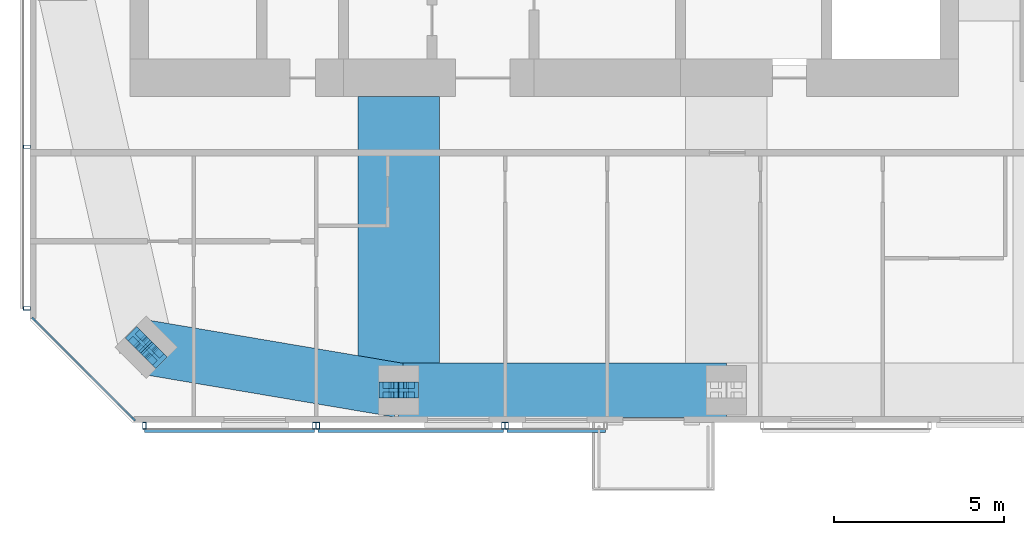
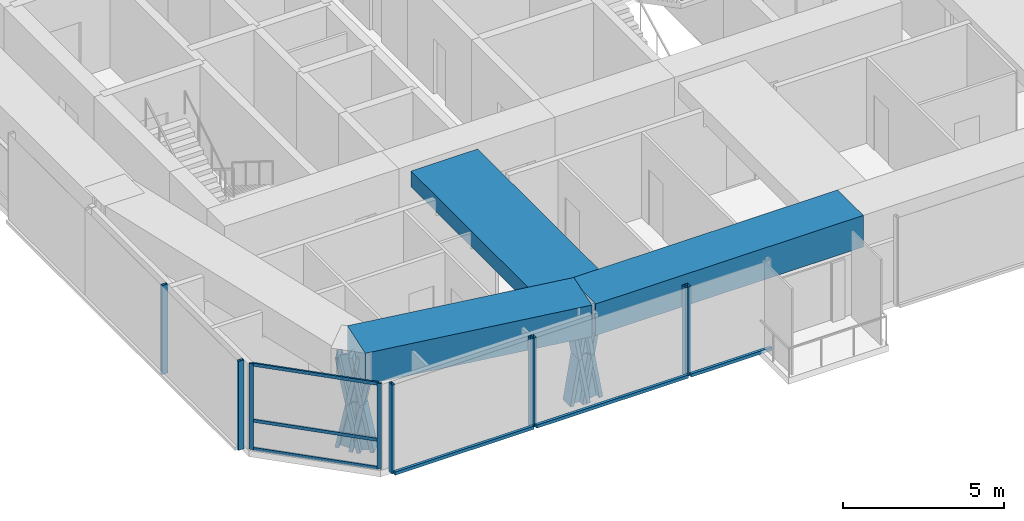
# One storey, part 2 of 18: 23 members, 3 beams, 5 elements without a shape of their own.
"""IFC4 building model written with IfcOpenShell, lengths in metres."""

from ifc_helpers import new_model, si_unit, direction, frame, origin, origin_2d, place, context, subcontext, project, spatial, rectangle, hollow_rectangle, i_section, extrude, material, material_profile, profile_set, type_object, element, aggregate, save


model = new_model("IFC4")

# Units and contexts
model_context = context("Model", 3, precision=1e-05, world=origin(), true_north=direction((0.0, 1.0)))
body_context = subcontext(model_context, "Body", "Model", "MODEL_VIEW")
ifc_project = project(units=[si_unit("LENGTHUNIT", "METRE"), si_unit("AREAUNIT", "SQUARE_METRE"), si_unit("VOLUMEUNIT", "CUBIC_METRE"), si_unit("PLANEANGLEUNIT", "RADIAN"), si_unit("MASSUNIT", "GRAM", prefix="KILO")], contexts=[model_context])

# Site, building, storey
site_placement = place(None, origin())
site = spatial("IfcSite", under=ifc_project, at=site_placement, CompositionType="ELEMENT")
building_placement = place(site_placement, origin())
building = spatial("IfcBuilding", under=site, at=building_placement, Name="Jalousie Tower", CompositionType="ELEMENT")
storey_placement = place(building_placement, frame((0.0, 0.0, 252.949951171875)))
storey = spatial("IfcBuildingStorey", under=building, at=storey_placement, Name="L69", CompositionType="ELEMENT", Elevation=252.949951171875)

# Curtain wall, members
ifc_material_1 = material(Name="Aluminium curtain wall", Category="aluminium")
curtain_wall_type_1 = type_object("IfcCurtainWallType", Name="CORNER WINDOW WALL", PredefinedType="USERDEFINED", material=ifc_material_1)
curtain_wall_1_placement = place(storey_placement, origin())
curtain_wall_1 = element("IfcCurtainWall", 1, at=curtain_wall_1_placement, inside=storey, type_object=curtain_wall_type_1, Name="Corner Window Wall L69 8", ObjectType="CORNER WINDOW WALL", PredefinedType="USERDEFINED")
ifc_material_2 = material(Name="Aluminium mullion", Category="aluminium")
ifc_material_profile_1 = material_profile(ifc_material_2, rectangle(XDim=0.06005859375, YDim=0.14990234375, at=origin_2d()), Name="MULLION 60x150")
ifc_profile_set_1 = profile_set([ifc_material_profile_1], Name="Aluminium mullion")
member_type_1 = type_object("IfcMemberType", Name="CORNER WINDOW WALL MULLION", PredefinedType="MULLION", material=ifc_profile_set_1)
member_1_placement = place(storey_placement, frame((16.90869140625, 3.030029296875, 0.0), z_axis=(0.0, 0.0, 1.0), x_axis=(0.707106781187, 0.707106781187, 0.0)))
member_1 = element("IfcMember", 2, at=member_1_placement, type_object=member_type_1, Name="CW-C mullion 1", PredefinedType="MULLION", context=body_context, shape_type="SweptSolid", body=[
    extrude(rectangle(XDim=0.06005859375, YDim=0.14990234375, at=origin_2d()), origin(), (0.0, 0.0, 1.0), 3.260009765625),
])
member_2_placement = place(storey_placement, frame((19.830078125, 0.108642578125, 0.0), z_axis=(0.0, 0.0, 1.0), x_axis=(0.707106781187, 0.707106781187, 0.0)))
member_2 = element("IfcMember", 3, at=member_2_placement, type_object=member_type_1, Name="CW-C mullion 2", PredefinedType="MULLION", context=body_context, shape_type="SweptSolid", body=[
    extrude(rectangle(XDim=0.06005859375, YDim=0.14990234375, at=origin_2d()), origin(), (0.0, 0.0, 1.0), 3.260009765625),
])
ifc_material_3 = material(Name="Aluminium transom", Category="aluminium")
ifc_material_profile_2 = material_profile(ifc_material_3, rectangle(XDim=0.06005859375, YDim=0.1201171875, at=origin_2d()), Name="TRANSOM 60x120")
ifc_profile_set_2 = profile_set([ifc_material_profile_2], Name="Aluminium transom")
member_type_2 = type_object("IfcMemberType", Name="CORNER WINDOW WALL TRANSOM", PredefinedType="USERDEFINED", material=ifc_profile_set_2)
member_3_placement = place(storey_placement, frame((16.929931640625, 3.0087890625, 0.030029296875), z_axis=(0.707106781187, -0.707106781187, 0.0), x_axis=(0.707106781187, 0.707106781187, 0.0)))
member_3 = element("IfcMember", 4, at=member_3_placement, type_object=member_type_2, Name="CW-C transom 1.1", ObjectType="TRANSOM", PredefinedType="USERDEFINED", context=body_context, shape_type="SweptSolid", body=[
    extrude(rectangle(XDim=0.06005859375, YDim=0.1201171875, at=origin_2d()), origin(), (0.0, 0.0, 1.0), 4.0712890625),
])
member_4_placement = place(storey_placement, frame((16.929931640625, 3.0087890625, 1.10009765625), z_axis=(0.707106781187, -0.707106781187, 0.0), x_axis=(0.707106781187, 0.707106781187, 0.0)))
member_4 = element("IfcMember", 5, at=member_4_placement, type_object=member_type_2, Name="CW-C transom 1.2", ObjectType="TRANSOM", PredefinedType="USERDEFINED", context=body_context, shape_type="SweptSolid", body=[
    extrude(rectangle(XDim=0.06005859375, YDim=0.1201171875, at=origin_2d()), origin(), (0.0, 0.0, 1.0), 4.0712890625),
])
member_5_placement = place(storey_placement, frame((16.929931640625, 3.0087890625, 3.22998046875), z_axis=(0.707106781187, -0.707106781187, 0.0), x_axis=(0.707106781187, 0.707106781187, 0.0)))
member_5 = element("IfcMember", 6, at=member_5_placement, type_object=member_type_2, Name="CW-C transom 1.3", ObjectType="TRANSOM", PredefinedType="USERDEFINED", context=body_context, shape_type="SweptSolid", body=[
    extrude(rectangle(XDim=0.06005859375, YDim=0.1201171875, at=origin_2d()), origin(), (0.0, 0.0, 1.0), 4.0712890625),
])
aggregate(curtain_wall_1, [member_1, member_2, member_3, member_4, member_5])

# Members
ifc_material_4 = material(Name="Steel ASTM A992 Grade 50", Category="steel")
ifc_material_profile_3 = material_profile(ifc_material_4, i_section(OverallWidth=0.472412109375, OverallDepth=0.5791015625, WebThickness=0.094970703125, FlangeThickness=0.1298828125, at=origin_2d()), Name="W14X808")
ifc_profile_set_3 = profile_set([ifc_material_profile_3], Name="Steel ASTM A992 Grade 50")
member_type_3 = type_object("IfcMemberType", Name="PERIMETER BRACE W14X808", PredefinedType="BRACE", material=ifc_profile_set_3)
for number, where, z_axis, x_axis, name in (
    (7, (19.959716796875, 2.45458984375, -0.599853515625), (0.138579250682, -0.138716051522, 0.980588419435), (0.707455539091, 0.706757851183, 0.0), "Perimeter brace 01 L69 part 1"),
    (8, (20.20703125, 2.20703125, 1.150146484375), (0.138716051522, -0.138579250682, 0.980588419435), (0.706757851183, 0.707455539091, 0.0), "Perimeter brace 01 L69 part 2"),
    (9, (20.45458984375, 1.959716796875, -0.599853515625), (-0.138716051522, 0.138579250682, 0.980588419435), (-0.706757851183, -0.707455539091, 0.0), "Perimeter brace 01 L69 part 3"),
    (10, (20.20703125, 2.20703125, 1.150146484375), (-0.138579250682, 0.138716051522, 0.980588419435), (-0.707455539091, -0.706757851183, 0.0), "Perimeter brace 01 L69 part 4"),
):
    element("IfcMember", number, at=place(storey_placement, frame(where, z_axis=z_axis, x_axis=x_axis)), inside=storey, type_object=member_type_3, Name=name, PredefinedType="BRACE", context=body_context, shape_type="SweptSolid", body=[
        extrude(i_section(OverallWidth=0.472412109375, OverallDepth=0.5791015625, WebThickness=0.094970703125, FlangeThickness=0.1298828125, at=origin_2d()), origin(), (0.0, 0.0, 1.0), 1.78466796875),
    ])
for number, where, z_axis, x_axis, name in (
    (11, (27.324951171875, 0.949951171875, -0.599853515625), (0.168990530437, 0.0, 0.98561767467), (0.0, 1.0, 0.0), "Perimeter brace 02 L69 part 1"),
    (12, (27.625, 0.949951171875, 1.150146484375), (0.168990530437, 0.0, 0.98561767467), (0.0, 1.0, 0.0), "Perimeter brace 02 L69 part 2"),
    (13, (27.925048828125, 0.949951171875, -0.599853515625), (-0.168990530437, 0.0, 0.98561767467), (0.0, -1.0, 0.0), "Perimeter brace 02 L69 part 3"),
    (14, (27.625, 0.949951171875, 1.150146484375), (-0.168990530437, 0.0, 0.98561767467), (0.0, -1.0, 0.0), "Perimeter brace 02 L69 part 4"),
):
    element("IfcMember", number, at=place(storey_placement, frame(where, z_axis=z_axis, x_axis=x_axis)), inside=storey, type_object=member_type_3, Name=name, PredefinedType="BRACE", context=body_context, shape_type="SweptSolid", body=[
        extrude(i_section(OverallWidth=0.472412109375, OverallDepth=0.5791015625, WebThickness=0.094970703125, FlangeThickness=0.1298828125, at=origin_2d()), origin(), (0.0, 0.0, 1.0), 1.775634765625),
    ])

# Beams
ifc_material_5 = material(Name="Concrete f'c 40 MPa", Category="concrete")
ifc_material_profile_4 = material_profile(ifc_material_5, rectangle(XDim=1.60009765625, YDim=1.199951171875, at=origin_2d()), Name="RC 1600x1200")
ifc_profile_set_4 = profile_set([ifc_material_profile_4], Name="Concrete f'c 40 MPa")
beam_type_1 = type_object("IfcBeamType", Name="RC BEAM 1600x1200", PredefinedType="BEAM", material=ifc_profile_set_4)
beam_1_placement = place(storey_placement, frame((20.20703125, 2.20703125, 2.900146484375), z_axis=(0.985942997446, -0.167082033105, 0.0), x_axis=(0.167082033105, 0.985942997446, 0.0)))
element("IfcBeam", 15, at=beam_1_placement, inside=storey, type_object=beam_type_1, Name="Edge band beam 01-02 under L70", PredefinedType="BEAM", context=body_context, shape_type="SweptSolid", body=[
    extrude(rectangle(XDim=1.60009765625, YDim=1.199951171875, at=origin_2d()), origin(), (0.0, 0.0, 1.0), 7.523681640625),
])
beam_2_placement = place(storey_placement, frame((27.625, 0.949951171875, 2.900146484375), z_axis=(1.0, 0.0, 0.0), x_axis=(0.0, 1.0, 0.0)))
element("IfcBeam", 16, at=beam_2_placement, inside=storey, type_object=beam_type_1, Name="Edge band beam 02-03 under L70", PredefinedType="BEAM", context=body_context, shape_type="SweptSolid", body=[
    extrude(rectangle(XDim=1.60009765625, YDim=1.199951171875, at=origin_2d()), origin(), (0.0, 0.0, 1.0), 9.625),
])
ifc_material_6 = material(Name="Concrete f'c 40 MPa", Category="concrete")
ifc_material_profile_5 = material_profile(ifc_material_6, rectangle(XDim=2.39990234375, YDim=0.60009765625, at=origin_2d()), Name="RC 2400x600")
ifc_profile_set_5 = profile_set([ifc_material_profile_5], Name="Concrete f'c 40 MPa")
beam_type_2 = type_object("IfcBeamType", Name="RC BEAM 2400x600", PredefinedType="BEAM", material=ifc_profile_set_5)
beam_3_placement = place(storey_placement, frame((27.625, 0.949951171875, 2.9599609375), z_axis=(0.0, 1.0, 0.0), x_axis=(-1.0, 0.0, 0.0)))
element("IfcBeam", 17, at=beam_3_placement, inside=storey, type_object=beam_type_2, Name="Floor band beam under L70", PredefinedType="BEAM", context=body_context, shape_type="SweptSolid", body=[
    extrude(rectangle(XDim=2.39990234375, YDim=0.60009765625, at=origin_2d()), origin(), (0.0, 0.0, 1.0), 8.625),
])

# Curtain wall, members
ifc_material_7 = material(Name="Perforated aluminium sheet", Category="aluminium")
curtain_wall_type_2 = type_object("IfcCurtainWallType", Name="SOLAR SCREEN SS-2", PredefinedType="USERDEFINED", material=ifc_material_7)
curtain_wall_2_placement = place(storey_placement, origin())
curtain_wall_2 = element("IfcCurtainWall", 18, at=curtain_wall_2_placement, inside=storey, type_object=curtain_wall_type_2, Name="Solar screen L69", ObjectType="SOLAR SCREEN SS-2", PredefinedType="USERDEFINED")
ifc_material_8 = material(Name="Steel ASTM A500 Grade C", Category="steel")
ifc_material_profile_6 = material_profile(ifc_material_8, hollow_rectangle(XDim=0.1015625, YDim=0.203125, WallThickness=0.0078125, at=origin_2d()), Name="HSS8X4X5/16")
ifc_profile_set_6 = profile_set([ifc_material_profile_6], Name="Steel ASTM A500 Grade C")
member_type_4 = type_object("IfcMemberType", Name="SOLAR SCREEN SS-2 MULLION", PredefinedType="MULLION", material=ifc_profile_set_6)
member_6_placement = place(storey_placement, frame((20.1513671875, -0.0966796875, -0.119873046875), z_axis=(0.0, 0.0, 1.0), x_axis=(1.0, 0.0, 0.0)))
member_6 = element("IfcMember", 19, at=member_6_placement, type_object=member_type_4, Name="SS2 post 1", PredefinedType="MULLION", context=body_context, shape_type="SweptSolid", body=[
    extrude(hollow_rectangle(XDim=0.1015625, YDim=0.203125, WallThickness=0.0078125, at=origin_2d()), origin(), (0.0, 0.0, 1.0), 3.3798828125),
])
member_7_placement = place(storey_placement, frame((25.14990234375, -0.0966796875, -0.119873046875), z_axis=(0.0, 0.0, 1.0), x_axis=(1.0, 0.0, 0.0)))
member_7 = element("IfcMember", 20, at=member_7_placement, type_object=member_type_4, Name="SS2 post 2", PredefinedType="MULLION", context=body_context, shape_type="SweptSolid", body=[
    extrude(hollow_rectangle(XDim=0.1015625, YDim=0.203125, WallThickness=0.0078125, at=origin_2d()), origin(), (0.0, 0.0, 1.0), 3.3798828125),
])

curtain_wall_3_placement = place(storey_placement, origin())
curtain_wall_3 = element("IfcCurtainWall", 21, at=curtain_wall_3_placement, inside=storey, type_object=curtain_wall_type_2, Name="Solar screen L69", ObjectType="SOLAR SCREEN SS-2", PredefinedType="USERDEFINED")
member_8_placement = place(storey_placement, frame((25.25, -0.0966796875, -0.119873046875), z_axis=(0.0, 0.0, 1.0), x_axis=(1.0, 0.0, 0.0)))
member_8 = element("IfcMember", 22, at=member_8_placement, type_object=member_type_4, Name="SS2 post 1", PredefinedType="MULLION", context=body_context, shape_type="SweptSolid", body=[
    extrude(hollow_rectangle(XDim=0.1015625, YDim=0.203125, WallThickness=0.0078125, at=origin_2d()), origin(), (0.0, 0.0, 1.0), 3.3798828125),
])
member_9_placement = place(storey_placement, frame((30.699951171875, -0.0966796875, -0.119873046875), z_axis=(0.0, 0.0, 1.0), x_axis=(1.0, 0.0, 0.0)))
member_9 = element("IfcMember", 23, at=member_9_placement, type_object=member_type_4, Name="SS2 post 2", PredefinedType="MULLION", context=body_context, shape_type="SweptSolid", body=[
    extrude(hollow_rectangle(XDim=0.1015625, YDim=0.203125, WallThickness=0.0078125, at=origin_2d()), origin(), (0.0, 0.0, 1.0), 3.3798828125),
])

# Curtain wall, member
curtain_wall_4_placement = place(storey_placement, origin())
curtain_wall_4 = element("IfcCurtainWall", 24, at=curtain_wall_4_placement, inside=storey, type_object=curtain_wall_type_2, Name="Solar screen L69", ObjectType="SOLAR SCREEN SS-2", PredefinedType="USERDEFINED")
member_10_placement = place(storey_placement, frame((30.800048828125, -0.0966796875, -0.119873046875), z_axis=(0.0, 0.0, 1.0), x_axis=(1.0, 0.0, 0.0)))
member_10 = element("IfcMember", 25, at=member_10_placement, type_object=member_type_4, Name="SS2 post 1", PredefinedType="MULLION", context=body_context, shape_type="SweptSolid", body=[
    extrude(hollow_rectangle(XDim=0.1015625, YDim=0.203125, WallThickness=0.0078125, at=origin_2d()), origin(), (0.0, 0.0, 1.0), 3.3798828125),
])

# Curtain wall, members
curtain_wall_5_placement = place(storey_placement, origin())
curtain_wall_5 = element("IfcCurtainWall", 26, at=curtain_wall_5_placement, inside=storey, type_object=curtain_wall_type_2, Name="Solar screen L69", ObjectType="SOLAR SCREEN SS-2", PredefinedType="USERDEFINED")
member_11_placement = place(storey_placement, frame((16.703369140625, 8.100830078125, -0.119873046875), z_axis=(0.0, 0.0, 1.0), x_axis=(0.0, -1.0, 0.0)))
member_11 = element("IfcMember", 27, at=member_11_placement, type_object=member_type_4, Name="SS2 post 3", PredefinedType="MULLION", context=body_context, shape_type="SweptSolid", body=[
    extrude(hollow_rectangle(XDim=0.1015625, YDim=0.203125, WallThickness=0.0078125, at=origin_2d()), origin(), (0.0, 0.0, 1.0), 3.3798828125),
])
member_12_placement = place(storey_placement, frame((16.703369140625, 3.351318359375, -0.119873046875), z_axis=(0.0, 0.0, 1.0), x_axis=(0.0, -1.0, 0.0)))
member_12 = element("IfcMember", 28, at=member_12_placement, type_object=member_type_4, Name="SS2 post 4", PredefinedType="MULLION", context=body_context, shape_type="SweptSolid", body=[
    extrude(hollow_rectangle(XDim=0.1015625, YDim=0.203125, WallThickness=0.0078125, at=origin_2d()), origin(), (0.0, 0.0, 1.0), 3.3798828125),
])
aggregate(curtain_wall_5, [member_11, member_12])

# Member
ifc_material_9 = material(Name="Extruded aluminium screen rail", Category="aluminium")
ifc_material_profile_7 = material_profile(ifc_material_9, rectangle(XDim=0.1015625, YDim=0.1201171875, at=origin_2d()), Name="RAIL 102x120")
ifc_profile_set_7 = profile_set([ifc_material_profile_7], Name="Extruded aluminium screen rail")
member_type_5 = type_object("IfcMemberType", Name="SOLAR SCREEN SS-2 TRANSOM", PredefinedType="USERDEFINED", material=ifc_profile_set_7)
member_13_placement = place(storey_placement, frame((20.1513671875, -0.2490234375, -0.06005859375), z_axis=(1.0, 0.0, 0.0), x_axis=(0.0, 1.0, 0.0)))
member_13 = element("IfcMember", 29, at=member_13_placement, type_object=member_type_5, Name="SS2 rail", ObjectType="TRANSOM", PredefinedType="USERDEFINED", context=body_context, shape_type="SweptSolid", body=[
    extrude(rectangle(XDim=0.1015625, YDim=0.1201171875, at=origin_2d()), origin(), (0.0, 0.0, 1.0), 4.99853515625),
])

aggregate(curtain_wall_2, [member_6, member_7, member_13])

member_14_placement = place(storey_placement, frame((25.25, -0.2490234375, -0.06005859375), z_axis=(1.0, 0.0, 0.0), x_axis=(0.0, 1.0, 0.0)))
member_14 = element("IfcMember", 30, at=member_14_placement, type_object=member_type_5, Name="SS2 rail", ObjectType="TRANSOM", PredefinedType="USERDEFINED", context=body_context, shape_type="SweptSolid", body=[
    extrude(rectangle(XDim=0.1015625, YDim=0.1201171875, at=origin_2d()), origin(), (0.0, 0.0, 1.0), 5.449951171875),
])

aggregate(curtain_wall_3, [member_8, member_9, member_14])

member_15_placement = place(storey_placement, frame((30.800048828125, -0.2490234375, -0.06005859375), z_axis=(1.0, 0.0, 0.0), x_axis=(0.0, 1.0, 0.0)))
member_15 = element("IfcMember", 31, at=member_15_placement, type_object=member_type_5, Name="SS2 rail", ObjectType="TRANSOM", PredefinedType="USERDEFINED", context=body_context, shape_type="SweptSolid", body=[
    extrude(rectangle(XDim=0.1015625, YDim=0.1201171875, at=origin_2d()), origin(), (0.0, 0.0, 1.0), 2.89990234375),
])

aggregate(curtain_wall_4, [member_10, member_15])

save(model, "model.ifc")
